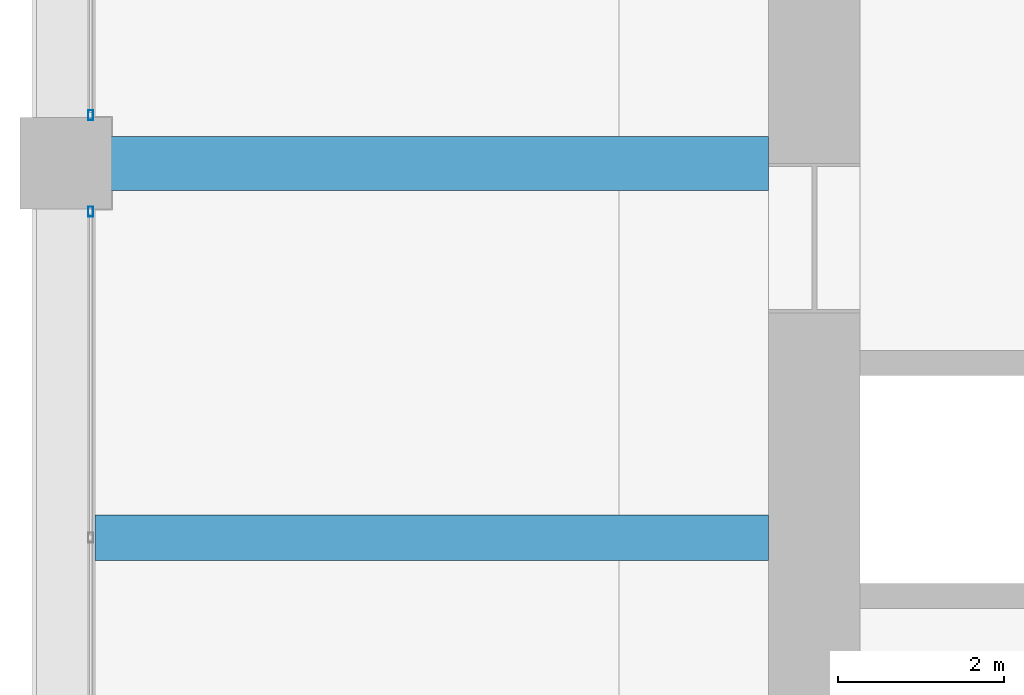
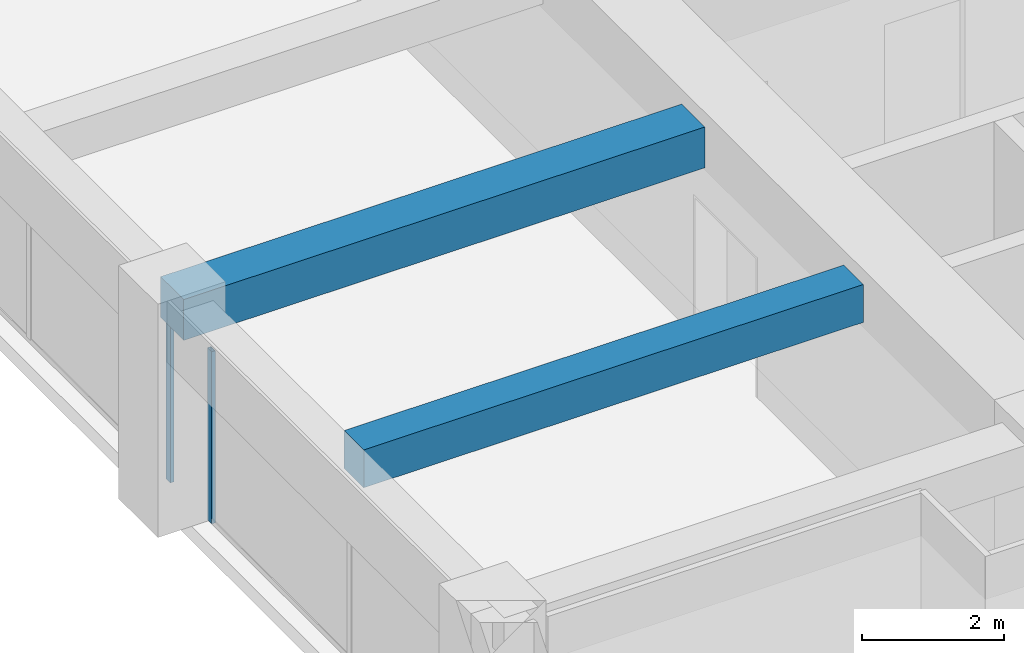
# One storey, part 15 of 44: 2 beams, 2 members, 2 elements without a shape of their own.
"""IFC4 building model written with IfcOpenShell, lengths in metres."""

from ifc_helpers import new_model, si_unit, direction, frame, origin, origin_2d, place, context, subcontext, project, spatial, rectangle, hollow_rectangle, extrude, material, material_profile, profile_set, type_object, element, aggregate, save


model = new_model("IFC4")

# Units and contexts
model_context = context("Model", 3, precision=1e-05, world=origin(), true_north=direction((0.0, 1.0)))
body_context = subcontext(model_context, "Body", "Model", "MODEL_VIEW")
ifc_project = project(units=[si_unit("LENGTHUNIT", "METRE"), si_unit("AREAUNIT", "SQUARE_METRE"), si_unit("VOLUMEUNIT", "CUBIC_METRE"), si_unit("PLANEANGLEUNIT", "RADIAN"), si_unit("MASSUNIT", "GRAM", prefix="KILO")], contexts=[model_context])

# Site, building, storey
site_placement = place(None, origin())
site = spatial("IfcSite", under=ifc_project, at=site_placement, CompositionType="ELEMENT")
building_placement = place(site_placement, origin())
building = spatial("IfcBuilding", under=site, at=building_placement, Name="Zorevar Civic Tower", CompositionType="ELEMENT")
storey_placement = place(building_placement, frame((0.0, 0.0, 255.39990234375)))
storey = spatial("IfcBuildingStorey", under=building, at=storey_placement, Name="L62", CompositionType="ELEMENT", Elevation=255.39990234375)

# Beams
ifc_material_1 = material(Name="Concrete C50/60", Category="concrete")
ifc_material_profile_1 = material_profile(ifc_material_1, rectangle(XDim=0.550048828125, YDim=0.64990234375, at=origin_2d()), Name="RC 550x650")
ifc_profile_set_1 = profile_set([ifc_material_profile_1], Name="Concrete C50/60")
beam_type_1 = type_object("IfcBeamType", Name="Beam RC 550x650", PredefinedType="BEAM", material=ifc_profile_set_1)
beam_1_placement = place(storey_placement, frame((9.35009765625, 22.5, 3.425048828125), z_axis=(1.0, 0.0, 0.0), x_axis=(0.0, 1.0, 0.0)))
element("IfcBeam", 1, at=beam_1_placement, inside=storey, type_object=beam_type_1, Name="Secondary beam L63", PredefinedType="BEAM", context=body_context, shape_type="SweptSolid", body=[
    extrude(rectangle(XDim=0.550048828125, YDim=0.64990234375, at=origin_2d()), origin(), (0.0, 0.0, 1.0), 8.099853515625),
])
ifc_material_2 = material(Name="Concrete C50/60", Category="concrete")
ifc_material_profile_2 = material_profile(ifc_material_2, rectangle(XDim=0.64990234375, YDim=0.699951171875, at=origin_2d()), Name="RC 650x700")
ifc_profile_set_2 = profile_set([ifc_material_profile_2], Name="Concrete C50/60")
beam_type_2 = type_object("IfcBeamType", Name="Beam RC 650x700", PredefinedType="BEAM", material=ifc_profile_set_2)
beam_2_placement = place(storey_placement, frame((9.0, 27.0, 3.400146484375), z_axis=(1.0, 0.0, 0.0), x_axis=(0.0, 1.0, 0.0)))
element("IfcBeam", 2, at=beam_2_placement, inside=storey, type_object=beam_type_2, Name="Girder L63", PredefinedType="BEAM", context=body_context, shape_type="SweptSolid", body=[
    extrude(rectangle(XDim=0.64990234375, YDim=0.699951171875, at=origin_2d()), origin(), (0.0, 0.0, 1.0), 8.449951171875),
])

# Curtain wall, member
ifc_material_3 = material(Name="Dark grey solar-control glass in black aluminium frame", Category="aluminium")
curtain_wall_type = type_object("IfcCurtainWallType", Name="Curtain wall CW5 top zone", PredefinedType="NOTDEFINED", material=ifc_material_3)
curtain_wall_1_placement = place(storey_placement, origin())
curtain_wall_1 = element("IfcCurtainWall", 3, at=curtain_wall_1_placement, inside=storey, type_object=curtain_wall_type, Name="CW5 L62", PredefinedType="NOTDEFINED")
ifc_material_4 = material(Name="Aluminium, black anodised", Category="aluminium")
ifc_material_profile_3 = material_profile(ifc_material_4, hollow_rectangle(XDim=0.06005859375, YDim=0.1201171875, WallThickness=0.0029296875, at=origin_2d()), Name="AL 120x60x3")
ifc_profile_set_3 = profile_set([ifc_material_profile_3], Name="Aluminium, black anodised")
member_type = type_object("IfcMemberType", Name="CW5 mullion AL 120x60x3", PredefinedType="MULLION", material=ifc_profile_set_3)
member_1_placement = place(storey_placement, frame((9.300048828125, 26.419921875, 0.0), z_axis=(0.0, 0.0, 1.0), x_axis=(-1.0, 0.0, 0.0)))
member_1 = element("IfcMember", 4, at=member_1_placement, type_object=member_type, Name="CW5 mullion 3", PredefinedType="MULLION", context=body_context, shape_type="SweptSolid", body=[
    extrude(hollow_rectangle(XDim=0.06005859375, YDim=0.1201171875, WallThickness=0.0029296875, at=origin_2d()), origin(), (0.0, 0.0, 1.0), 2.9501953125),
])
aggregate(curtain_wall_1, [member_1])

curtain_wall_2_placement = place(storey_placement, origin())
curtain_wall_2 = element("IfcCurtainWall", 5, at=curtain_wall_2_placement, inside=storey, type_object=curtain_wall_type, Name="CW5 L62", PredefinedType="NOTDEFINED")
member_2_placement = place(storey_placement, frame((9.300048828125, 27.580078125, 0.0), z_axis=(0.0, 0.0, 1.0), x_axis=(-1.0, 0.0, 0.0)))
member_2 = element("IfcMember", 6, at=member_2_placement, type_object=member_type, Name="CW5 mullion 1", PredefinedType="MULLION", context=body_context, shape_type="SweptSolid", body=[
    extrude(hollow_rectangle(XDim=0.06005859375, YDim=0.1201171875, WallThickness=0.0029296875, at=origin_2d()), origin(), (0.0, 0.0, 1.0), 2.9501953125),
])
aggregate(curtain_wall_2, [member_2])

save(model, "model.ifc")
